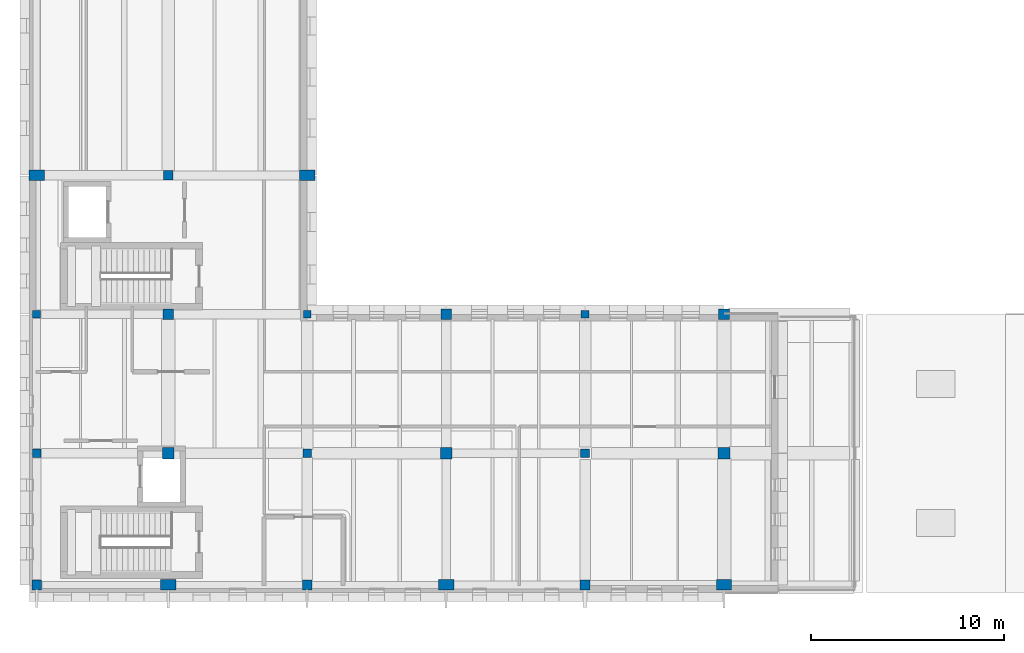
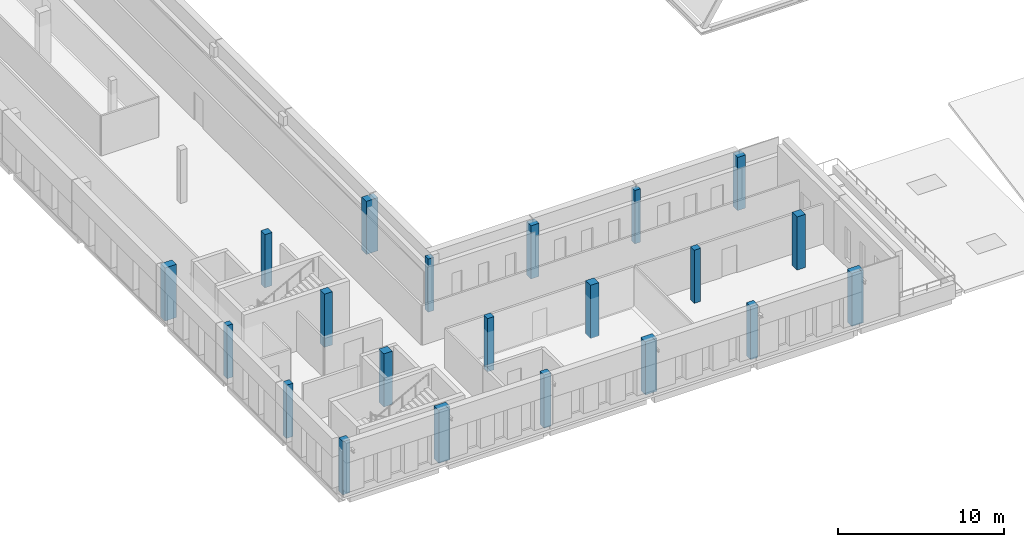
# One storey, part 1 of 56: 21 columns.
"""IFC4 building model written with IfcOpenShell, lengths in metres."""

from ifc_helpers import new_model, si_unit, direction, frame, origin, origin_2d, place, context, subcontext, project, spatial, rectangle, extrude, material, material_profile, profile_set, type_object, element, save


model = new_model("IFC4")

# Units and contexts
model_context = context("Model", 3, precision=1e-05, world=origin(), true_north=direction((0.0, 1.0)))
body_context = subcontext(model_context, "Body", "Model", "MODEL_VIEW")
ifc_project = project(units=[si_unit("LENGTHUNIT", "METRE"), si_unit("AREAUNIT", "SQUARE_METRE"), si_unit("VOLUMEUNIT", "CUBIC_METRE"), si_unit("PLANEANGLEUNIT", "RADIAN"), si_unit("MASSUNIT", "GRAM", prefix="KILO")], contexts=[model_context])

# Site, building, storey
site_placement = place(None, origin())
site = spatial("IfcSite", under=ifc_project, at=site_placement, CompositionType="ELEMENT")
building_placement = place(site_placement, origin())
building = spatial("IfcBuilding", under=site, at=building_placement, Name="Vardoun Plaza Health Centre", CompositionType="ELEMENT")
storey_placement = place(building_placement, frame((0.0, 0.0, 8.699951171875)))
storey = spatial("IfcBuildingStorey", under=building, at=storey_placement, Name="L02", CompositionType="ELEMENT", Elevation=8.699951171875)

# Columns
ifc_material_1 = material(Name="Concrete C40/50", Category="concrete")
ifc_material_profile_1 = material_profile(ifc_material_1, rectangle(XDim=0.39990234375, YDim=0.39990234375, at=origin_2d()), Name="RC-COL 400x400")
ifc_profile_set_1 = profile_set([ifc_material_profile_1], Name="Concrete C40/50")
column_type_1 = type_object("IfcColumnType", Name="C-08", PredefinedType="COLUMN", material=ifc_profile_set_1)
for number, where, z_axis, x_axis, name in (
    (1, (4.8798828125, 18.89990234375, 0.0), (0.0, 0.0, 1.0), (1.0, 0.0, 0.0), "V2 L02 Column C-V2-03"),
    (2, (18.89990234375, 18.89990234375, 0.0), (0.0, 0.0, 1.0), (1.0, 0.0, 0.0), "V2 L02 Column C-V2-21"),
    (3, (33.300048828125, 18.89990234375, 0.0), (0.0, 0.0, 1.0), (1.0, 0.0, 0.0), "V2 L02 Column C-V2-33"),
):
    element("IfcColumn", number, at=place(storey_placement, frame(where, z_axis=z_axis, x_axis=x_axis)), inside=storey, type_object=column_type_1, Name=name, PredefinedType="COLUMN", context=body_context, shape_type="SweptSolid", body=[
        extrude(rectangle(XDim=0.39990234375, YDim=0.39990234375, at=origin_2d()), origin(), (0.0, 0.0, 1.0), 3.920166015625),
    ])
ifc_material_2 = material(Name="Concrete C40/50", Category="concrete")
ifc_material_profile_2 = material_profile(ifc_material_2, rectangle(XDim=0.449951171875, YDim=0.449951171875, at=origin_2d()), Name="RC-COL 450x450")
ifc_profile_set_2 = profile_set([ifc_material_profile_2], Name="Concrete C40/50")
column_type_2 = type_object("IfcColumnType", Name="C-07", PredefinedType="COLUMN", material=ifc_profile_set_2)
for number, where, z_axis, x_axis, name in (
    (4, (4.8798828125, 11.699951171875, 0.0), (0.0, 0.0, 1.0), (1.0, 0.0, 0.0), "V2 L02 Column C-V2-02"),
    (5, (18.89990234375, 11.699951171875, 0.0), (0.0, 0.0, 1.0), (1.0, 0.0, 0.0), "V2 L02 Column C-V2-20"),
    (6, (33.300048828125, 11.699951171875, 0.0), (0.0, 0.0, 1.0), (1.0, 0.0, 0.0), "V2 L02 Column C-V2-32"),
):
    element("IfcColumn", number, at=place(storey_placement, frame(where, z_axis=z_axis, x_axis=x_axis)), inside=storey, type_object=column_type_2, Name=name, PredefinedType="COLUMN", context=body_context, shape_type="SweptSolid", body=[
        extrude(rectangle(XDim=0.449951171875, YDim=0.449951171875, at=origin_2d()), origin(), (0.0, 0.0, 1.0), 3.920166015625),
    ])
ifc_material_3 = material(Name="Concrete C40/50", Category="concrete")
ifc_material_profile_3 = material_profile(ifc_material_3, rectangle(XDim=0.5, YDim=0.5, at=origin_2d()), Name="RC-COL 500x500")
ifc_profile_set_3 = profile_set([ifc_material_profile_3], Name="Concrete C40/50")
column_type_3 = type_object("IfcColumnType", Name="C-06", PredefinedType="COLUMN", material=ifc_profile_set_3)
for number, where, z_axis, x_axis, name in (
    (7, (4.8798828125, 4.8798828125, 0.0), (0.0, 0.0, 1.0), (1.0, 0.0, 0.0), "V2 L02 Column C-V2-01"),
    (8, (11.699951171875, 26.10009765625, 0.0), (0.0, 0.0, 1.0), (1.0, 0.0, 0.0), "V2 L02 Column C-V2-13"),
    (9, (18.89990234375, 4.8798828125, 0.0), (0.0, 0.0, 1.0), (1.0, 0.0, 0.0), "V2 L02 Column C-V2-19"),
    (10, (33.300048828125, 4.8798828125, 0.0), (0.0, 0.0, 1.0), (1.0, 0.0, 0.0), "V2 L02 Column C-V2-31"),
):
    element("IfcColumn", number, at=place(storey_placement, frame(where, z_axis=z_axis, x_axis=x_axis)), inside=storey, type_object=column_type_3, Name=name, PredefinedType="COLUMN", context=body_context, shape_type="SweptSolid", body=[
        extrude(rectangle(XDim=0.5, YDim=0.5, at=origin_2d()), origin(), (0.0, 0.0, 1.0), 3.920166015625),
    ])
ifc_material_4 = material(Name="Concrete C40/50", Category="concrete")
ifc_material_profile_4 = material_profile(ifc_material_4, rectangle(XDim=0.550048828125, YDim=0.550048828125, at=origin_2d()), Name="RC-COL 550x550")
ifc_profile_set_4 = profile_set([ifc_material_profile_4], Name="Concrete C40/50")
column_type_4 = type_object("IfcColumnType", Name="C-05", PredefinedType="COLUMN", material=ifc_profile_set_4)
for number, where, z_axis, x_axis, name in (
    (11, (11.699951171875, 18.89990234375, 0.0), (0.0, 0.0, 1.0), (1.0, 0.0, 0.0), "V2 L02 Column C-V2-12"),
    (12, (26.10009765625, 18.89990234375, 0.0), (0.0, 0.0, 1.0), (1.0, 0.0, 0.0), "V2 L02 Column C-V2-30"),
    (13, (40.5, 18.89990234375, 0.0), (0.0, 0.0, 1.0), (1.0, 0.0, 0.0), "V2 L02 Column C-V2-36"),
):
    element("IfcColumn", number, at=place(storey_placement, frame(where, z_axis=z_axis, x_axis=x_axis)), inside=storey, type_object=column_type_4, Name=name, PredefinedType="COLUMN", context=body_context, shape_type="SweptSolid", body=[
        extrude(rectangle(XDim=0.550048828125, YDim=0.550048828125, at=origin_2d()), origin(), (0.0, 0.0, 1.0), 3.920166015625),
    ])
ifc_material_5 = material(Name="Concrete C40/50", Category="concrete")
ifc_material_profile_5 = material_profile(ifc_material_5, rectangle(XDim=0.60009765625, YDim=0.60009765625, at=origin_2d()), Name="RC-COL 600x600")
ifc_profile_set_5 = profile_set([ifc_material_profile_5], Name="Concrete C40/50")
column_type_5 = type_object("IfcColumnType", Name="C-04", PredefinedType="COLUMN", material=ifc_profile_set_5)
for number, where, z_axis, x_axis, name in (
    (14, (11.699951171875, 11.699951171875, 0.0), (0.0, 0.0, 1.0), (1.0, 0.0, 0.0), "V2 L02 Column C-V2-11"),
    (15, (26.10009765625, 11.699951171875, 0.0), (0.0, 0.0, 1.0), (1.0, 0.0, 0.0), "V2 L02 Column C-V2-29"),
    (16, (40.5, 11.699951171875, 0.0), (0.0, 0.0, 1.0), (1.0, 0.0, 0.0), "V2 L02 Column C-V2-35"),
):
    element("IfcColumn", number, at=place(storey_placement, frame(where, z_axis=z_axis, x_axis=x_axis)), inside=storey, type_object=column_type_5, Name=name, PredefinedType="COLUMN", context=body_context, shape_type="SweptSolid", body=[
        extrude(rectangle(XDim=0.60009765625, YDim=0.60009765625, at=origin_2d()), origin(), (0.0, 0.0, 1.0), 3.920166015625),
    ])
ifc_material_6 = material(Name="Concrete C40/50", Category="concrete")
ifc_material_profile_6 = material_profile(ifc_material_6, rectangle(XDim=0.800048828125, YDim=0.550048828125, at=origin_2d()), Name="RC-COL 800x550")
ifc_profile_set_6 = profile_set([ifc_material_profile_6], Name="Concrete C40/50")
column_type_6 = type_object("IfcColumnType", Name="C-09", PredefinedType="COLUMN", material=ifc_profile_set_6)
for number, where, z_axis, x_axis, name in (
    (17, (4.8798828125, 26.10009765625, 0.0), (0.0, 0.0, 1.0), (1.0, 0.0, 0.0), "V2 L02 Column C-V2-04"),
    (18, (11.699951171875, 4.8798828125, 0.0), (0.0, 0.0, 1.0), (1.0, 0.0, 0.0), "V2 L02 Column C-V2-10"),
    (19, (18.89990234375, 26.10009765625, 0.0), (0.0, 0.0, 1.0), (1.0, 0.0, 0.0), "V2 L02 Column C-V2-22"),
    (20, (26.10009765625, 4.8798828125, 0.0), (0.0, 0.0, 1.0), (1.0, 0.0, 0.0), "V2 L02 Column C-V2-28"),
    (21, (40.5, 4.8798828125, 0.0), (0.0, 0.0, 1.0), (1.0, 0.0, 0.0), "V2 L02 Column C-V2-34"),
):
    element("IfcColumn", number, at=place(storey_placement, frame(where, z_axis=z_axis, x_axis=x_axis)), inside=storey, type_object=column_type_6, Name=name, PredefinedType="COLUMN", context=body_context, shape_type="SweptSolid", body=[
        extrude(rectangle(XDim=0.800048828125, YDim=0.550048828125, at=origin_2d()), origin(), (0.0, 0.0, 1.0), 3.920166015625),
    ])

save(model, "model.ifc")
